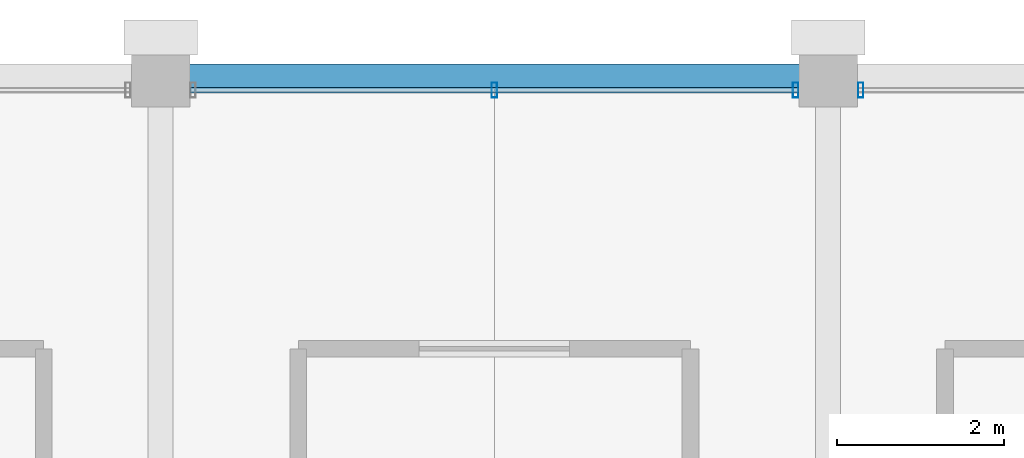
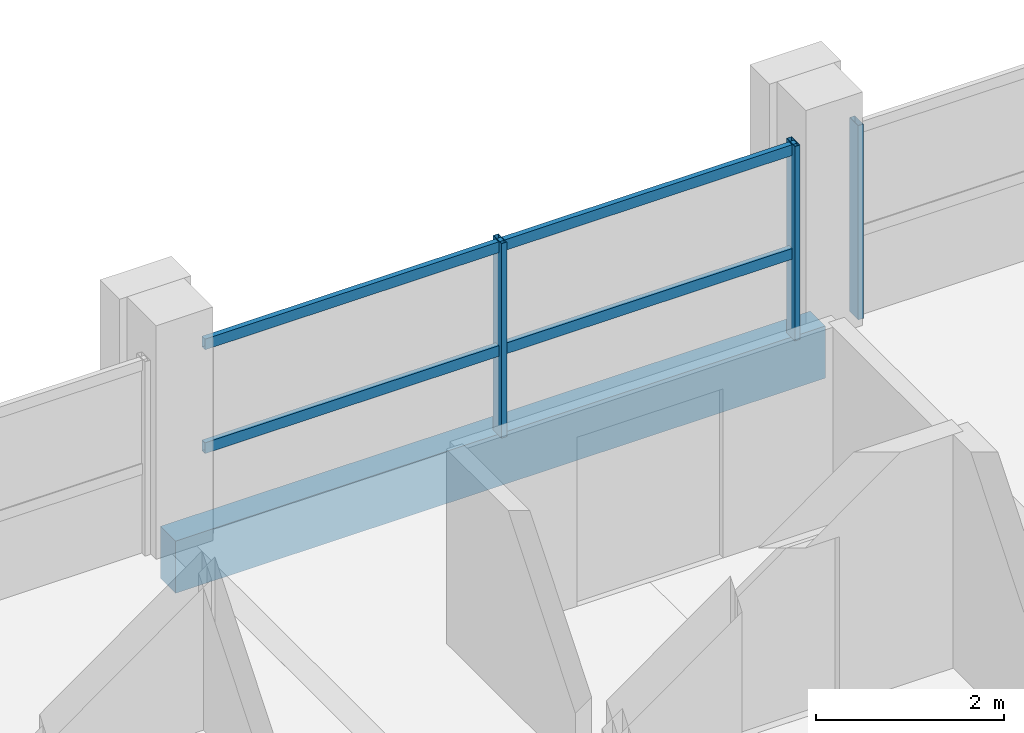
# One storey, part 17 of 24: 5 members, 1 beam, 2 elements without a shape of their own.
"""IFC4 building model written with IfcOpenShell, lengths in metres."""

from ifc_helpers import new_model, si_unit, direction, frame, origin, origin_2d, place, context, subcontext, project, spatial, rectangle, hollow_rectangle, extrude, material, material_profile, profile_set, type_object, element, aggregate, save


model = new_model("IFC4")

# Units and contexts
model_context = context("Model", 3, precision=1e-05, world=origin(), true_north=direction((0.0, 1.0)))
body_context = subcontext(model_context, "Body", "Model", "MODEL_VIEW")
ifc_project = project(units=[si_unit("LENGTHUNIT", "METRE"), si_unit("AREAUNIT", "SQUARE_METRE"), si_unit("VOLUMEUNIT", "CUBIC_METRE"), si_unit("PLANEANGLEUNIT", "RADIAN"), si_unit("MASSUNIT", "GRAM", prefix="KILO")], contexts=[model_context])

# Site, building, storey
site_placement = place(None, origin())
site = spatial("IfcSite", under=ifc_project, at=site_placement, CompositionType="ELEMENT")
building_placement = place(site_placement, origin())
building = spatial("IfcBuilding", under=site, at=building_placement, Name="Akrevak Sports Hall", CompositionType="ELEMENT")
storey_placement = place(building_placement, frame((0.0, 0.0, 56.800048828125)))
storey = spatial("IfcBuildingStorey", under=building, at=storey_placement, Name="L14", CompositionType="ELEMENT", Elevation=56.800048828125)

# Curtain wall, member
ifc_material_1 = material(Name="Anodized Bronze Aluminium & Low-E Glass", Category="aluminium")
curtain_wall_type = type_object("IfcCurtainWallType", Name="ARC-CW-TWR-64x30", PredefinedType="NOTDEFINED", material=ifc_material_1)
curtain_wall_1_placement = place(storey_placement, origin())
curtain_wall_1 = element("IfcCurtainWall", 1, at=curtain_wall_1_placement, inside=storey, type_object=curtain_wall_type, Name="Curtain Wall CW-L14-N19", PredefinedType="NOTDEFINED")
ifc_material_2 = material(Name="Anodized Bronze Aluminium", Category="aluminium")
ifc_material_profile_1 = material_profile(ifc_material_2, hollow_rectangle(XDim=0.06494140625, YDim=0.179931640625, WallThickness=0.00390625, at=origin_2d()), Name="CWM 65x180", Category="aluminium")
ifc_profile_set_1 = profile_set([ifc_material_profile_1], Name="Anodized Bronze Aluminium")
member_type_1 = type_object("IfcMemberType", Name="ARC-CWM-65x140", PredefinedType="MULLION", material=ifc_profile_set_1)
member_1_placement = place(storey_placement, frame((84.389892578125, 69.449951171875, 0.0), z_axis=(0.0, 0.0, 1.0), x_axis=(-1.0, 0.0, 0.0)))
member_1 = element("IfcMember", 2, at=member_1_placement, type_object=member_type_1, Name="Curtain Wall Mullion CW-L14-N19-M3", PredefinedType="MULLION", context=body_context, shape_type="SweptSolid", body=[
    extrude(hollow_rectangle(XDim=0.06494140625, YDim=0.179931640625, WallThickness=0.00390625, at=origin_2d()), origin(), (0.0, 0.0, 1.0), 2.530029296875),
])
aggregate(curtain_wall_1, [member_1])

# Curtain wall, members
curtain_wall_2_placement = place(storey_placement, origin())
curtain_wall_2 = element("IfcCurtainWall", 3, at=curtain_wall_2_placement, inside=storey, type_object=curtain_wall_type, Name="Curtain Wall CW-L14-N20", PredefinedType="NOTDEFINED")
member_2_placement = place(storey_placement, frame((83.610107421875, 69.449951171875, 0.0), z_axis=(0.0, 0.0, 1.0), x_axis=(-1.0, 0.0, 0.0)))
member_2 = element("IfcMember", 4, at=member_2_placement, type_object=member_type_1, Name="Curtain Wall Mullion CW-L14-N20-M1", PredefinedType="MULLION", context=body_context, shape_type="SweptSolid", body=[
    extrude(hollow_rectangle(XDim=0.06494140625, YDim=0.179931640625, WallThickness=0.00390625, at=origin_2d()), origin(), (0.0, 0.0, 1.0), 2.530029296875),
])
member_3_placement = place(storey_placement, frame((80.0, 69.449951171875, 0.0), z_axis=(0.0, 0.0, 1.0), x_axis=(-1.0, 0.0, 0.0)))
member_3 = element("IfcMember", 5, at=member_3_placement, type_object=member_type_1, Name="Curtain Wall Mullion CW-L14-N20-M2", PredefinedType="MULLION", context=body_context, shape_type="SweptSolid", body=[
    extrude(hollow_rectangle(XDim=0.06494140625, YDim=0.179931640625, WallThickness=0.00390625, at=origin_2d()), origin(), (0.0, 0.0, 1.0), 2.530029296875),
])
ifc_material_profile_2 = material_profile(ifc_material_2, hollow_rectangle(XDim=0.06494140625, YDim=0.139892578125, WallThickness=0.00390625, at=origin_2d()), Name="CWT 65x140", Category="aluminium")
ifc_profile_set_2 = profile_set([ifc_material_profile_2], Name="Anodized Bronze Aluminium")
member_type_2 = type_object("IfcMemberType", Name="ARC-CWT-65x110", PredefinedType="USERDEFINED", material=ifc_profile_set_2)
member_4_placement = place(storey_placement, frame((83.64990234375, 69.449951171875, 1.099853515625), z_axis=(-1.0, 0.0, 0.0), x_axis=(0.0, -1.0, 0.0)))
member_4 = element("IfcMember", 6, at=member_4_placement, type_object=member_type_2, Name="Curtain Wall Transom CW-L14-N20-T1", ObjectType="TRANSOM", PredefinedType="USERDEFINED", context=body_context, shape_type="SweptSolid", body=[
    extrude(hollow_rectangle(XDim=0.06494140625, YDim=0.139892578125, WallThickness=0.00390625, at=origin_2d()), origin(), (0.0, 0.0, 1.0), 7.2998046875),
])
member_5_placement = place(storey_placement, frame((83.64990234375, 69.449951171875, 2.449951171875), z_axis=(-1.0, 0.0, 0.0), x_axis=(0.0, -1.0, 0.0)))
member_5 = element("IfcMember", 7, at=member_5_placement, type_object=member_type_2, Name="Curtain Wall Transom CW-L14-N20-T2", ObjectType="TRANSOM", PredefinedType="USERDEFINED", context=body_context, shape_type="SweptSolid", body=[
    extrude(hollow_rectangle(XDim=0.06494140625, YDim=0.139892578125, WallThickness=0.00390625, at=origin_2d()), origin(), (0.0, 0.0, 1.0), 7.2998046875),
])
aggregate(curtain_wall_2, [member_2, member_3, member_4, member_5])

# Beam
ifc_material_3 = material(Name="Concrete C40/50", Category="concrete")
ifc_material_profile_3 = material_profile(ifc_material_3, rectangle(XDim=0.320068359375, YDim=0.679931640625, at=origin_2d()), Name="SPD 320x680", Category="concrete")
ifc_profile_set_3 = profile_set([ifc_material_profile_3], Name="Concrete C40/50")
beam_type = type_object("IfcBeamType", Name="STR-SPD-RC320x680", PredefinedType="SPANDREL", material=ifc_profile_set_3)
beam_placement = place(storey_placement, frame((76.0, 69.60009765625, -0.340087890625), z_axis=(1.0, 0.0, 0.0), x_axis=(0.0, 1.0, 0.0)))
element("IfcBeam", 8, at=beam_placement, inside=storey, type_object=beam_type, Name="Girder K/11-12 (L14)", PredefinedType="SPANDREL", context=body_context, shape_type="SweptSolid", body=[
    extrude(rectangle(XDim=0.320068359375, YDim=0.679931640625, at=origin_2d()), origin(), (0.0, 0.0, 1.0), 8.0),
])

save(model, "model.ifc")
